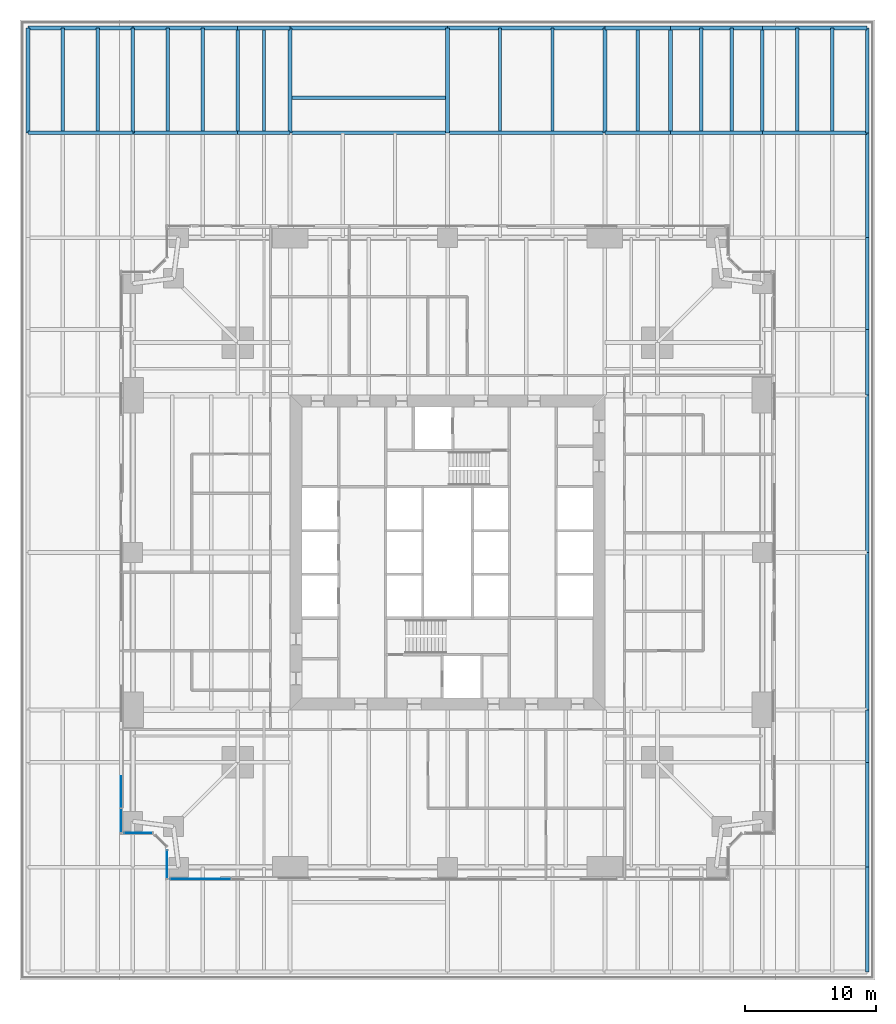
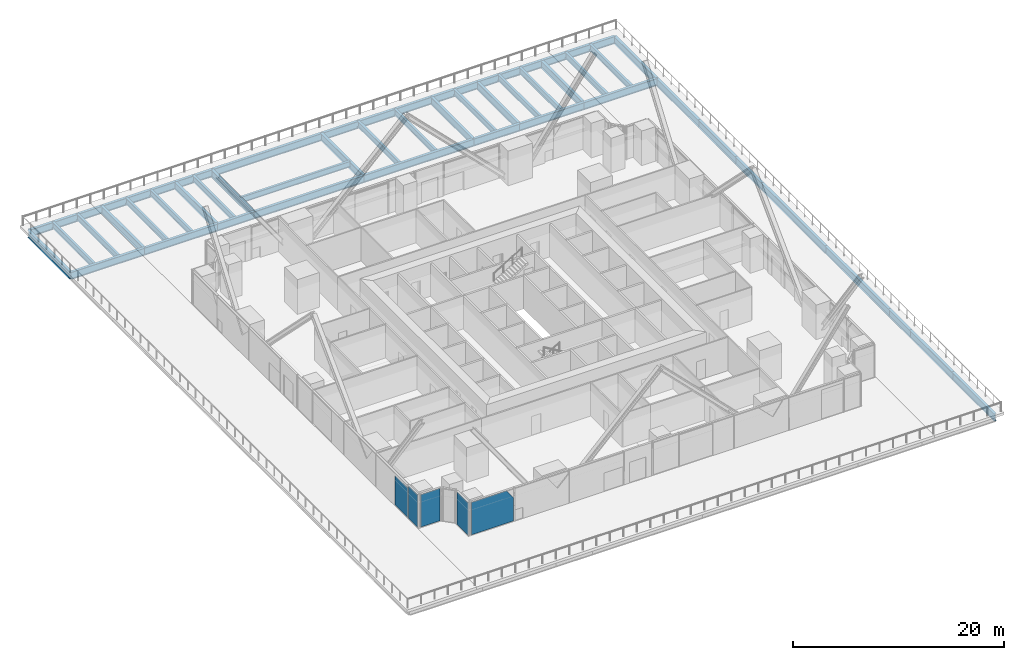
# One storey, part 10 of 21: 46 beams, 5 plates, 4 elements without a shape of their own.
"""IFC4 building model written with IfcOpenShell, lengths in metres."""

import ifcopenshell
import ifcopenshell.guid

model = None  # the IFC model being written
_history = None  # IfcOwnerHistory: only IFC2X3 demands one
_inside = {}  # id of a spatial element -> (the spatial element, [elements in it])
_under = {}  # id of a project, library or spatial element -> (it, [spatial elements below it])
_declared = {}  # id of a project -> (the project, [libraries it declares])
_typed = {}  # id of a type object -> (the type object, [elements of that type])
_made_of = {}  # id of a material, layer set ... -> (it, [elements and type objects made of it])


def new_model(schema):
    """Start an empty IFC model of exactly this schema.

    Asked for "IFC4X3", IfcOpenShell would pick the latest addendum, in which some entities
    have other attributes; the version numbers below select the first issue.
    IFC2X3 requires an IfcOwnerHistory on every rooted entity: one is made here for all.
    """
    global model, _history
    if schema == "IFC4X3":
        model = ifcopenshell.file(schema_version=(4, 3, 0, 0))
    else:
        model = ifcopenshell.file(schema=schema)
    _inside.clear()
    _under.clear()
    _declared.clear()
    _typed.clear()
    _made_of.clear()
    _history = None
    if model.schema == "IFC2X3":
        org = make("IfcOrganization", Name="unknown")
        user = make(
            "IfcPersonAndOrganization",
            ThePerson=make("IfcPerson", FamilyName="unknown"),
            TheOrganization=org,
        )
        app = make(
            "IfcApplication",
            ApplicationDeveloper=org,
            Version="unknown",
            ApplicationFullName="unknown",
            ApplicationIdentifier="unknown",
        )
        _history = make(
            "IfcOwnerHistory",
            OwningUser=user,
            OwningApplication=app,
            ChangeAction="ADDED",
            CreationDate=0,
        )
    return model


def make(cls, **values):
    """One entity of the class cls with the attributes given. An attribute that is None is left unset."""
    return model.create_entity(
        cls, **{name: value for name, value in values.items() if value is not None}
    )


def rooted(cls, **values):
    """An entity with a GlobalId (a new one), such as an element, a storey or a relation."""
    return make(cls, GlobalId=ifcopenshell.guid.new(), OwnerHistory=_history, **values)


def si_unit(unit_type, name, prefix=None):
    """IfcSIUnit, for example si_unit("LENGTHUNIT", "METRE", prefix="MILLI")."""
    return make("IfcSIUnit", UnitType=unit_type, Prefix=prefix, Name=name)


def assignment(units):
    """IfcUnitAssignment: the units of a project."""
    return None if units is None else make("IfcUnitAssignment", Units=units)


def point(xyz):
    """IfcCartesianPoint."""
    return None if xyz is None else make("IfcCartesianPoint", Coordinates=xyz)


def direction(xyz):
    """IfcDirection."""
    return None if xyz is None else make("IfcDirection", DirectionRatios=xyz)


def frame(location, z_axis=None, x_axis=None):
    """IfcAxis2Placement3D, a coordinate frame: its origin and axes. An axis left out is left unset."""
    return make(
        "IfcAxis2Placement3D",
        Location=point(location),
        Axis=direction(z_axis),
        RefDirection=direction(x_axis),
    )


def frame_2d(location, x_axis=None):
    """IfcAxis2Placement2D, a coordinate frame in the plane: its origin and x axis."""
    return make(
        "IfcAxis2Placement2D", Location=point(location), RefDirection=direction(x_axis)
    )


def origin():
    """The frame at (0, 0, 0) with its axes left unset."""
    return frame((0.0, 0.0, 0.0))


def origin_2d():
    """The frame at (0, 0) in the plane with its x axis left unset."""
    return frame_2d((0.0, 0.0))


def place(relative_to, where):
    """IfcLocalPlacement: puts the frame where relative to a parent placement (None: the world)."""
    return make(
        "IfcLocalPlacement", PlacementRelTo=relative_to, RelativePlacement=where
    )


def context(
    kind, dimensions, precision=None, world=None, true_north=None, identifier=None
):
    """IfcGeometricRepresentationContext, for example the 3D "Model" context."""
    return make(
        "IfcGeometricRepresentationContext",
        ContextIdentifier=identifier,
        ContextType=kind,
        CoordinateSpaceDimension=dimensions,
        Precision=precision,
        WorldCoordinateSystem=world,
        TrueNorth=true_north,
    )


def subcontext(parent, identifier, kind, view, scale=None):
    """IfcGeometricRepresentationSubContext, for example "Body" below "Model"."""
    return make(
        "IfcGeometricRepresentationSubContext",
        ContextIdentifier=identifier,
        ContextType=kind,
        ParentContext=parent,
        TargetScale=scale,
        TargetView=view,
    )


def project(units=None, contexts=None):
    """IfcProject with its units and contexts."""
    return rooted(
        "IfcProject",
        Name="project",
        RepresentationContexts=contexts,
        UnitsInContext=assignment(units),
    )


def spatial(cls, under=None, at=None, **own):
    """A site, building, storey or space (cls), placed at a placement, below another one or the project."""
    s = rooted(cls, ObjectPlacement=at, **own)
    if under is not None:
        _under.setdefault(under.id(), (under, []))[1].append(s)
    return s


def polyline(points):
    """IfcPolyline through the points."""
    return make("IfcPolyline", Points=[point(p) for p in points])


def profile(cls, at=None, kind="AREA", **sizes):
    """A parametric profile (cls). Its sizes go by their IFC names, for example OverallWidth=200.0."""
    return make(cls, ProfileType=kind, Position=at, **sizes)


def rectangle(**sizes):
    """IfcRectangleProfileDef."""
    return profile("IfcRectangleProfileDef", **sizes)


def i_section(**sizes):
    """IfcIShapeProfileDef."""
    return profile("IfcIShapeProfileDef", **sizes)


def outline(outer, holes=None, kind="AREA"):
    """IfcArbitraryClosedProfileDef: a profile drawn as a closed curve; with holes, ...WithVoids."""
    if holes is None:
        return make("IfcArbitraryClosedProfileDef", ProfileType=kind, OuterCurve=outer)
    return make(
        "IfcArbitraryProfileDefWithVoids",
        ProfileType=kind,
        OuterCurve=outer,
        InnerCurves=holes,
    )


def extrude(swept, where, along, depth):
    """IfcExtrudedAreaSolid: the profile swept, set in the frame where, extruded along a direction by depth."""
    return make(
        "IfcExtrudedAreaSolid",
        SweptArea=swept,
        Position=where,
        ExtrudedDirection=direction(along),
        Depth=depth,
    )


def shape(context_of_items, identifier, shape_type, items):
    """IfcShapeRepresentation: the items that make up one representation, for example the "Body"."""
    return make(
        "IfcShapeRepresentation",
        ContextOfItems=context_of_items,
        RepresentationIdentifier=identifier,
        RepresentationType=shape_type,
        Items=items,
    )


def material(Name=None, Category=None):
    """IfcMaterial."""
    return make("IfcMaterial", Name=Name, Category=Category)


def layer(
    of_material, thickness, ventilated=None, Name=None, Category=None, Priority=None
):
    """IfcMaterialLayer: one layer of a wall or slab, of a material (None: an air gap)."""
    return make(
        "IfcMaterialLayer",
        Material=of_material,
        LayerThickness=thickness,
        IsVentilated=ventilated,
        Name=Name,
        Category=Category,
        Priority=Priority,
    )


def layer_set(layers, Name=None):
    """IfcMaterialLayerSet."""
    return make("IfcMaterialLayerSet", MaterialLayers=layers, LayerSetName=Name)


def material_profile(
    of_material, cross_section, Name=None, Category=None, Priority=None
):
    """IfcMaterialProfile: a cross section and its material."""
    return make(
        "IfcMaterialProfile",
        Name=Name,
        Material=of_material,
        Profile=cross_section,
        Priority=Priority,
        Category=Category,
    )


def profile_set(profiles, Name=None, composite=None):
    """IfcMaterialProfileSet."""
    return make(
        "IfcMaterialProfileSet",
        Name=Name,
        MaterialProfiles=profiles,
        CompositeProfile=composite,
    )


def made_of(thing, what):
    """Note that an element or type object is made of a material, layer set ...; save() writes the relation."""
    if what is not None:
        _made_of.setdefault(what.id(), (what, []))[1].append(thing)
    return thing


def type_object(cls, material=None, **own):
    """A type object (cls), such as IfcWallType, which elements share."""
    return made_of(rooted(cls, **own), material)


def element(
    cls,
    number,
    at=None,
    inside=None,
    cuts=None,
    type_object=None,
    material=None,
    context=None,
    identifier="Body",
    shape_type=None,
    held_by="IfcProductDefinitionShape",
    body=None,
    shapes=None,
    **own,
):
    """One element of the class cls, such as IfcWall. Its Tag is "e" and its number.

    at: its placement. inside: the storey or other place that contains it. cuts: it is an
    opening in that element (IfcRelVoidsElement). A single representation is given by context,
    identifier, shape_type and body (its items); several are given by shapes. held_by: the class
    of the entity that holds the representations. save() writes the other relations.
    """
    e = rooted(cls, Tag="e%d" % number, ObjectPlacement=at, **own)
    if body is not None:
        shapes = [shape(context, identifier, shape_type, body)]
    if shapes is not None:
        e.Representation = make(held_by, Representations=shapes)
    if inside is not None:
        _inside.setdefault(inside.id(), (inside, []))[1].append(e)
    if cuts is not None:
        rooted(
            "IfcRelVoidsElement", RelatingBuildingElement=cuts, RelatedOpeningElement=e
        )
    if type_object is not None:
        _typed.setdefault(type_object.id(), (type_object, []))[1].append(e)
    return made_of(e, material)


def aggregate(whole, parts):
    """IfcRelAggregates: a whole, such as a stair, and the parts it consists of."""
    return rooted("IfcRelAggregates", RelatingObject=whole, RelatedObjects=parts)


def save(model, path):
    """Write the relations noted so far, then the file.

    IfcRelAggregates (storeys below a building ...), IfcRelContainedInSpatialStructure (elements
    in a storey), IfcRelDefinesByType, IfcRelAssociatesMaterial and IfcRelDeclares: one each for
    every whole, place, type object, material and project.
    """
    for whole, parts in _under.values():
        aggregate(whole, parts)
    for where, things in _inside.values():
        rooted(
            "IfcRelContainedInSpatialStructure",
            RelatedElements=things,
            RelatingStructure=where,
        )
    for kind, things in _typed.values():
        rooted("IfcRelDefinesByType", RelatedObjects=things, RelatingType=kind)
    for what, things in _made_of.values():
        rooted("IfcRelAssociatesMaterial", RelatedObjects=things, RelatingMaterial=what)
    for by, libraries in _declared.values():
        rooted("IfcRelDeclares", RelatingContext=by, RelatedDefinitions=libraries)
    model.write(path)


model = new_model("IFC4")

# Units and contexts
model_context = context("Model", 3, precision=1e-05, world=origin(), true_north=direction((0.0, 1.0)))
body_context = subcontext(model_context, "Body", "Model", "MODEL_VIEW")
ifc_project = project(units=[si_unit("LENGTHUNIT", "METRE"), si_unit("AREAUNIT", "SQUARE_METRE"), si_unit("VOLUMEUNIT", "CUBIC_METRE"), si_unit("PLANEANGLEUNIT", "RADIAN"), si_unit("MASSUNIT", "GRAM", prefix="KILO")], contexts=[model_context])

# Site, building, storey
site_placement = place(None, origin())
site = spatial("IfcSite", under=ifc_project, at=site_placement, CompositionType="ELEMENT")
building_placement = place(site_placement, origin())
building = spatial("IfcBuilding", under=site, at=building_placement, Name="Fenwick Lantern Interchange", CompositionType="ELEMENT")
storey_placement = place(building_placement, frame((0.0, 0.0, 31.0)))
storey = spatial("IfcBuildingStorey", under=building, at=storey_placement, Name="L06", CompositionType="ELEMENT", Elevation=31.0)

# Beams
ifc_material_1 = material(Name="Steel ASTM A992 Grade 50", Category="steel")
ifc_material_profile_1 = material_profile(ifc_material_1, i_section(OverallWidth=0.2919921875, OverallDepth=0.845703125, WebThickness=0.015380859375, FlangeThickness=0.0244140625, at=origin_2d()), Name="W33X141")
ifc_profile_set_1 = profile_set([ifc_material_profile_1], Name="Steel ASTM A992 Grade 50")
beam_type_1 = type_object("IfcBeamType", Name="MOMENT-CONNECTED PODIUM GIRDER W33X141", PredefinedType="BEAM", material=ifc_profile_set_1)
for number, where, z_axis, x_axis, name in (
    (1, (-7.0, 57.0, -0.722900390625), (1.0, 0.0, 0.0), (0.0, 1.0, 0.0), "L06/PF/G027"),
    (2, (1.0, 57.0, -0.722900390625), (1.0, 0.0, 0.0), (0.0, 1.0, 0.0), "L06/PF/G028"),
):
    element("IfcBeam", number, at=place(storey_placement, frame(where, z_axis=z_axis, x_axis=x_axis)), inside=storey, type_object=beam_type_1, Name=name, PredefinedType="BEAM", context=body_context, shape_type="SweptSolid", body=[
        extrude(i_section(OverallWidth=0.2919921875, OverallDepth=0.845703125, WebThickness=0.015380859375, FlangeThickness=0.0244140625, at=origin_2d()), origin(), (0.0, 0.0, 1.0), 8.0),
    ])
beam_1_placement = place(storey_placement, frame((9.0, 57.0, -0.722900390625), z_axis=(1.0, 0.0, 0.0), x_axis=(0.0, 1.0, 0.0)))
element("IfcBeam", 3, at=beam_1_placement, inside=storey, type_object=beam_type_1, Name="L06/PF/G029", PredefinedType="BEAM", context=body_context, shape_type="SweptSolid", body=[
    extrude(i_section(OverallWidth=0.2919921875, OverallDepth=0.845703125, WebThickness=0.015380859375, FlangeThickness=0.0244140625, at=origin_2d()), origin(), (0.0, 0.0, 1.0), 4.0),
])
for number, where, z_axis, x_axis, name in (
    (4, (13.0, 57.0, -0.722900390625), (1.0, 0.0, 0.0), (0.0, 1.0, 0.0), "L06/PF/G030"),
    (5, (25.0, 57.0, -0.722900390625), (1.0, 0.0, 0.0), (0.0, 1.0, 0.0), "L06/PF/G031"),
):
    element("IfcBeam", number, at=place(storey_placement, frame(where, z_axis=z_axis, x_axis=x_axis)), inside=storey, type_object=beam_type_1, Name=name, PredefinedType="BEAM", context=body_context, shape_type="SweptSolid", body=[
        extrude(i_section(OverallWidth=0.2919921875, OverallDepth=0.845703125, WebThickness=0.015380859375, FlangeThickness=0.0244140625, at=origin_2d()), origin(), (0.0, 0.0, 1.0), 12.0),
    ])
beam_2_placement = place(storey_placement, frame((37.0, 57.0, -0.722900390625), z_axis=(1.0, 0.0, 0.0), x_axis=(0.0, 1.0, 0.0)))
element("IfcBeam", 6, at=beam_2_placement, inside=storey, type_object=beam_type_1, Name="L06/PF/G032", PredefinedType="BEAM", context=body_context, shape_type="SweptSolid", body=[
    extrude(i_section(OverallWidth=0.2919921875, OverallDepth=0.845703125, WebThickness=0.015380859375, FlangeThickness=0.0244140625, at=origin_2d()), origin(), (0.0, 0.0, 1.0), 5.0),
])
beam_3_placement = place(storey_placement, frame((42.0, 57.0, -0.722900390625), z_axis=(1.0, 0.0, 0.0), x_axis=(0.0, 1.0, 0.0)))
element("IfcBeam", 7, at=beam_3_placement, inside=storey, type_object=beam_type_1, Name="L06/PF/G033", PredefinedType="BEAM", context=body_context, shape_type="SweptSolid", body=[
    extrude(i_section(OverallWidth=0.2919921875, OverallDepth=0.845703125, WebThickness=0.015380859375, FlangeThickness=0.0244140625, at=origin_2d()), origin(), (0.0, 0.0, 1.0), 7.0),
])
for number, where, z_axis, x_axis, name in (
    (8, (49.0, 57.0, -0.722900390625), (1.0, 0.0, 0.0), (0.0, 1.0, 0.0), "L06/PF/G034"),
    (9, (-7.0, 65.0, -0.722900390625), (1.0, 0.0, 0.0), (0.0, 1.0, 0.0), "L06/PF/G035"),
    (10, (1.0, 65.0, -0.722900390625), (1.0, 0.0, 0.0), (0.0, 1.0, 0.0), "L06/PF/G036"),
):
    element("IfcBeam", number, at=place(storey_placement, frame(where, z_axis=z_axis, x_axis=x_axis)), inside=storey, type_object=beam_type_1, Name=name, PredefinedType="BEAM", context=body_context, shape_type="SweptSolid", body=[
        extrude(i_section(OverallWidth=0.2919921875, OverallDepth=0.845703125, WebThickness=0.015380859375, FlangeThickness=0.0244140625, at=origin_2d()), origin(), (0.0, 0.0, 1.0), 8.0),
    ])
beam_4_placement = place(storey_placement, frame((9.0, 65.0, -0.722900390625), z_axis=(1.0, 0.0, 0.0), x_axis=(0.0, 1.0, 0.0)))
element("IfcBeam", 11, at=beam_4_placement, inside=storey, type_object=beam_type_1, Name="L06/PF/G037", PredefinedType="BEAM", context=body_context, shape_type="SweptSolid", body=[
    extrude(i_section(OverallWidth=0.2919921875, OverallDepth=0.845703125, WebThickness=0.015380859375, FlangeThickness=0.0244140625, at=origin_2d()), origin(), (0.0, 0.0, 1.0), 4.0),
])
for number, where, z_axis, x_axis, name in (
    (12, (13.0, 65.0, -0.722900390625), (1.0, 0.0, 0.0), (0.0, 1.0, 0.0), "L06/PF/G038"),
    (13, (25.0, 65.0, -0.722900390625), (1.0, 0.0, 0.0), (0.0, 1.0, 0.0), "L06/PF/G039"),
):
    element("IfcBeam", number, at=place(storey_placement, frame(where, z_axis=z_axis, x_axis=x_axis)), inside=storey, type_object=beam_type_1, Name=name, PredefinedType="BEAM", context=body_context, shape_type="SweptSolid", body=[
        extrude(i_section(OverallWidth=0.2919921875, OverallDepth=0.845703125, WebThickness=0.015380859375, FlangeThickness=0.0244140625, at=origin_2d()), origin(), (0.0, 0.0, 1.0), 12.0),
    ])
beam_5_placement = place(storey_placement, frame((37.0, 65.0, -0.722900390625), z_axis=(1.0, 0.0, 0.0), x_axis=(0.0, 1.0, 0.0)))
element("IfcBeam", 14, at=beam_5_placement, inside=storey, type_object=beam_type_1, Name="L06/PF/G040", PredefinedType="BEAM", context=body_context, shape_type="SweptSolid", body=[
    extrude(i_section(OverallWidth=0.2919921875, OverallDepth=0.845703125, WebThickness=0.015380859375, FlangeThickness=0.0244140625, at=origin_2d()), origin(), (0.0, 0.0, 1.0), 5.0),
])
beam_6_placement = place(storey_placement, frame((42.0, 65.0, -0.722900390625), z_axis=(1.0, 0.0, 0.0), x_axis=(0.0, 1.0, 0.0)))
element("IfcBeam", 15, at=beam_6_placement, inside=storey, type_object=beam_type_1, Name="L06/PF/G041", PredefinedType="BEAM", context=body_context, shape_type="SweptSolid", body=[
    extrude(i_section(OverallWidth=0.2919921875, OverallDepth=0.845703125, WebThickness=0.015380859375, FlangeThickness=0.0244140625, at=origin_2d()), origin(), (0.0, 0.0, 1.0), 7.0),
])
for number, where, z_axis, x_axis, name in (
    (16, (49.0, 65.0, -0.722900390625), (1.0, 0.0, 0.0), (0.0, 1.0, 0.0), "L06/PF/G042"),
    (17, (-7.0, 57.0, -0.722900390625), (0.0, 1.0, 0.0), (-1.0, 0.0, 0.0), "L06/PF/G051"),
    (18, (1.0, 57.0, -0.722900390625), (0.0, 1.0, 0.0), (-1.0, 0.0, 0.0), "L06/PF/G056"),
    (19, (9.0, 57.0, -0.722900390625), (0.0, 1.0, 0.0), (-1.0, 0.0, 0.0), "L06/PF/G059"),
    (20, (13.0, 57.0, -0.722900390625), (0.0, 1.0, 0.0), (-1.0, 0.0, 0.0), "L06/PF/G062"),
    (21, (25.0, 57.0, -0.722900390625), (0.0, 1.0, 0.0), (-1.0, 0.0, 0.0), "L06/PF/G065"),
    (22, (37.0, 57.0, -0.722900390625), (0.0, 1.0, 0.0), (-1.0, 0.0, 0.0), "L06/PF/G068"),
    (23, (42.0, 57.0, -0.722900390625), (0.0, 1.0, 0.0), (-1.0, 0.0, 0.0), "L06/PF/G071"),
    (24, (49.0, 57.0, -0.722900390625), (0.0, 1.0, 0.0), (-1.0, 0.0, 0.0), "L06/PF/G076"),
    (25, (57.0, -7.0, -0.722900390625), (0.0, 1.0, 0.0), (-1.0, 0.0, 0.0), "L06/PF/G077"),
    (26, (57.0, 1.0, -0.722900390625), (0.0, 1.0, 0.0), (-1.0, 0.0, 0.0), "L06/PF/G078"),
):
    element("IfcBeam", number, at=place(storey_placement, frame(where, z_axis=z_axis, x_axis=x_axis)), inside=storey, type_object=beam_type_1, Name=name, PredefinedType="BEAM", context=body_context, shape_type="SweptSolid", body=[
        extrude(i_section(OverallWidth=0.2919921875, OverallDepth=0.845703125, WebThickness=0.015380859375, FlangeThickness=0.0244140625, at=origin_2d()), origin(), (0.0, 0.0, 1.0), 8.0),
    ])
beam_7_placement = place(storey_placement, frame((57.0, 9.0, -0.722900390625), z_axis=(0.0, 1.0, 0.0), x_axis=(-1.0, 0.0, 0.0)))
element("IfcBeam", 27, at=beam_7_placement, inside=storey, type_object=beam_type_1, Name="L06/PF/G079", PredefinedType="BEAM", context=body_context, shape_type="SweptSolid", body=[
    extrude(i_section(OverallWidth=0.2919921875, OverallDepth=0.845703125, WebThickness=0.015380859375, FlangeThickness=0.0244140625, at=origin_2d()), origin(), (0.0, 0.0, 1.0), 4.0),
])
for number, where, z_axis, x_axis, name in (
    (28, (57.0, 13.0, -0.722900390625), (0.0, 1.0, 0.0), (-1.0, 0.0, 0.0), "L06/PF/G080"),
    (29, (57.0, 25.0, -0.722900390625), (0.0, 1.0, 0.0), (-1.0, 0.0, 0.0), "L06/PF/G081"),
):
    element("IfcBeam", number, at=place(storey_placement, frame(where, z_axis=z_axis, x_axis=x_axis)), inside=storey, type_object=beam_type_1, Name=name, PredefinedType="BEAM", context=body_context, shape_type="SweptSolid", body=[
        extrude(i_section(OverallWidth=0.2919921875, OverallDepth=0.845703125, WebThickness=0.015380859375, FlangeThickness=0.0244140625, at=origin_2d()), origin(), (0.0, 0.0, 1.0), 12.0),
    ])
beam_8_placement = place(storey_placement, frame((57.0, 37.0, -0.722900390625), z_axis=(0.0, 1.0, 0.0), x_axis=(-1.0, 0.0, 0.0)))
element("IfcBeam", 30, at=beam_8_placement, inside=storey, type_object=beam_type_1, Name="L06/PF/G082", PredefinedType="BEAM", context=body_context, shape_type="SweptSolid", body=[
    extrude(i_section(OverallWidth=0.2919921875, OverallDepth=0.845703125, WebThickness=0.015380859375, FlangeThickness=0.0244140625, at=origin_2d()), origin(), (0.0, 0.0, 1.0), 5.0),
])
beam_9_placement = place(storey_placement, frame((57.0, 42.0, -0.722900390625), z_axis=(0.0, 1.0, 0.0), x_axis=(-1.0, 0.0, 0.0)))
element("IfcBeam", 31, at=beam_9_placement, inside=storey, type_object=beam_type_1, Name="L06/PF/G083", PredefinedType="BEAM", context=body_context, shape_type="SweptSolid", body=[
    extrude(i_section(OverallWidth=0.2919921875, OverallDepth=0.845703125, WebThickness=0.015380859375, FlangeThickness=0.0244140625, at=origin_2d()), origin(), (0.0, 0.0, 1.0), 7.0),
])
for number, where, z_axis, x_axis, name in (
    (32, (57.0, 49.0, -0.722900390625), (0.0, 1.0, 0.0), (-1.0, 0.0, 0.0), "L06/PF/G084"),
    (33, (57.0, 57.0, -0.722900390625), (0.0, 1.0, 0.0), (-1.0, 0.0, 0.0), "L06/PF/G085"),
):
    element("IfcBeam", number, at=place(storey_placement, frame(where, z_axis=z_axis, x_axis=x_axis)), inside=storey, type_object=beam_type_1, Name=name, PredefinedType="BEAM", context=body_context, shape_type="SweptSolid", body=[
        extrude(i_section(OverallWidth=0.2919921875, OverallDepth=0.845703125, WebThickness=0.015380859375, FlangeThickness=0.0244140625, at=origin_2d()), origin(), (0.0, 0.0, 1.0), 8.0),
    ])
ifc_material_profile_2 = material_profile(ifc_material_1, i_section(OverallWidth=0.25390625, OverallDepth=0.683349609375, WebThickness=0.012451171875, FlangeThickness=0.01904296875, at=origin_2d()), Name="W27X94")
ifc_profile_set_2 = profile_set([ifc_material_profile_2], Name="Steel ASTM A992 Grade 50")
beam_type_2 = type_object("IfcBeamType", Name="PODIUM BEAM W27X94", PredefinedType="JOIST", material=ifc_profile_set_2)
for number, where, z_axis, x_axis, name in (
    (34, (-4.333251953125, 57.14599609375, -0.6416015625), (0.0, 1.0, 0.0), (-1.0, 0.0, 0.0), "L06/PF/J100"),
    (35, (-1.666748046875, 57.14599609375, -0.6416015625), (0.0, 1.0, 0.0), (-1.0, 0.0, 0.0), "L06/PF/J101"),
    (36, (3.666748046875, 57.14599609375, -0.6416015625), (0.0, 1.0, 0.0), (-1.0, 0.0, 0.0), "L06/PF/J106"),
    (37, (6.333251953125, 57.14599609375, -0.6416015625), (0.0, 1.0, 0.0), (-1.0, 0.0, 0.0), "L06/PF/J107"),
    (38, (11.0, 57.14599609375, -0.6416015625), (0.0, 1.0, 0.0), (-1.0, 0.0, 0.0), "L06/PF/J110"),
):
    element("IfcBeam", number, at=place(storey_placement, frame(where, z_axis=z_axis, x_axis=x_axis)), inside=storey, type_object=beam_type_2, Name=name, PredefinedType="JOIST", context=body_context, shape_type="SweptSolid", body=[
        extrude(i_section(OverallWidth=0.25390625, OverallDepth=0.683349609375, WebThickness=0.012451171875, FlangeThickness=0.01904296875, at=origin_2d()), origin(), (0.0, 0.0, 1.0), 7.85400390625),
    ])
beam_10_placement = place(storey_placement, frame((13.0, 59.666748046875, -0.6416015625), z_axis=(1.0, 0.0, 0.0), x_axis=(0.0, 1.0, 0.0)))
element("IfcBeam", 39, at=beam_10_placement, inside=storey, type_object=beam_type_2, Name="L06/PF/J114", PredefinedType="JOIST", context=body_context, shape_type="SweptSolid", body=[
    extrude(i_section(OverallWidth=0.25390625, OverallDepth=0.683349609375, WebThickness=0.012451171875, FlangeThickness=0.01904296875, at=origin_2d()), origin(), (0.0, 0.0, 1.0), 12.0),
])
for number, where, z_axis, x_axis, name in (
    (40, (29.0, 57.14599609375, -0.6416015625), (0.0, 1.0, 0.0), (-1.0, 0.0, 0.0), "L06/PF/J119"),
    (41, (33.0, 57.14599609375, -0.6416015625), (0.0, 1.0, 0.0), (-1.0, 0.0, 0.0), "L06/PF/J120"),
    (42, (39.5, 57.14599609375, -0.6416015625), (0.0, 1.0, 0.0), (-1.0, 0.0, 0.0), "L06/PF/J123"),
    (43, (44.333251953125, 57.14599609375, -0.6416015625), (0.0, 1.0, 0.0), (-1.0, 0.0, 0.0), "L06/PF/J128"),
    (44, (46.666748046875, 57.14599609375, -0.6416015625), (0.0, 1.0, 0.0), (-1.0, 0.0, 0.0), "L06/PF/J129"),
    (45, (51.666748046875, 57.14599609375, -0.6416015625), (0.0, 1.0, 0.0), (-1.0, 0.0, 0.0), "L06/PF/J144"),
    (46, (54.333251953125, 57.14599609375, -0.6416015625), (0.0, 1.0, 0.0), (-1.0, 0.0, 0.0), "L06/PF/J145"),
):
    element("IfcBeam", number, at=place(storey_placement, frame(where, z_axis=z_axis, x_axis=x_axis)), inside=storey, type_object=beam_type_2, Name=name, PredefinedType="JOIST", context=body_context, shape_type="SweptSolid", body=[
        extrude(i_section(OverallWidth=0.25390625, OverallDepth=0.683349609375, WebThickness=0.012451171875, FlangeThickness=0.01904296875, at=origin_2d()), origin(), (0.0, 0.0, 1.0), 7.85400390625),
    ])

# Curtain wall, plate
ifc_material_2 = material(Name="Aluminium curtain wall frame", Category="aluminium")
curtain_wall_type = type_object("IfcCurtainWallType", Name="OFFICE CURTAIN WALL", PredefinedType="USERDEFINED", material=ifc_material_2)
curtain_wall_1_placement = place(storey_placement, origin())
curtain_wall_1 = element("IfcCurtainWall", 47, at=curtain_wall_1_placement, inside=storey, type_object=curtain_wall_type, Name="Office curtain wall 01A", ObjectType="OFFICE CURTAIN WALL", PredefinedType="USERDEFINED")
ifc_material_3 = material(Name="Vision glass, clear low-iron double glazed", Category="glass")
ifc_layer = layer(ifc_material_3, 0.031982421875)
ifc_layer_set = layer_set([ifc_layer], Name="OFFICE CURTAIN WALL PANEL 32")
plate_type = type_object("IfcPlateType", Name="OFFICE CURTAIN WALL PANEL 32", PredefinedType="CURTAIN_PANEL", material=ifc_layer_set)
plate_1_placement = place(storey_placement, frame((3.60009765625, 0.10009765625, 0.0), z_axis=(0.0, 0.0, 1.0), x_axis=(1.0, 0.0, 0.0)))
plate_1 = element("IfcPlate", 48, at=plate_1_placement, type_object=plate_type, Name="L06/CW/01A/P00a", PredefinedType="CURTAIN_PANEL", context=body_context, shape_type="SweptSolid", body=[
    extrude(outline(polyline([(0.264892578125, 0.0), (4.867431640625, 0.0), (4.867431640625, 2.66650390625), (4.101318359375, 3.75), (0.264892578125, 3.75), (0.264892578125, 0.0)])), frame((0.0, 0.01611328125, 0.0), z_axis=(0.0, -1.0, 0.0), x_axis=(1.0, 0.0, 0.0)), (0.0, 0.0, 1.0), 0.031982421875),
])
aggregate(curtain_wall_1, [plate_1])

# Curtain wall, plates
curtain_wall_2_placement = place(storey_placement, origin())
curtain_wall_2 = element("IfcCurtainWall", 49, at=curtain_wall_2_placement, inside=storey, type_object=curtain_wall_type, Name="Office curtain wall 13B", ObjectType="OFFICE CURTAIN WALL", PredefinedType="USERDEFINED")
plate_2_placement = place(storey_placement, frame((0.10009765625, 26.5, 0.0), z_axis=(0.0, 0.0, 1.0), x_axis=(0.0, -1.0, 0.0)))
plate_2 = element("IfcPlate", 50, at=plate_2_placement, type_object=plate_type, Name="L06/CW/13B/P03a", PredefinedType="CURTAIN_PANEL", context=body_context, shape_type="SweptSolid", body=[
    extrude(outline(polyline([(18.556640625, 0.0), (20.967529296875, 0.0), (20.967529296875, 3.40771484375), (18.556640625, 3.40771484375), (18.556640625, 0.0)])), frame((0.0, 0.01611328125, 0.0), z_axis=(0.0, -1.0, 0.0), x_axis=(1.0, 0.0, 0.0)), (0.0, 0.0, 1.0), 0.031982421875),
])
plate_3_placement = place(storey_placement, frame((0.10009765625, 4.566162109375, 0.0), z_axis=(0.0, 0.0, 1.0), x_axis=(0.0, -1.0, 0.0)))
plate_3 = element("IfcPlate", 51, at=plate_3_placement, type_object=plate_type, Name="L06/CW/13B/P04", PredefinedType="CURTAIN_PANEL", context=body_context, shape_type="SweptSolid", body=[
    extrude(rectangle(XDim=1.802490234375, YDim=0.031982421875, at=origin_2d()), origin(), (0.0, 0.0, 1.0), 3.75),
])
aggregate(curtain_wall_2, [plate_2, plate_3])

# Curtain wall, plate
curtain_wall_3_placement = place(storey_placement, origin())
curtain_wall_3 = element("IfcCurtainWall", 52, at=curtain_wall_3_placement, inside=storey, type_object=curtain_wall_type, Name="Office curtain wall 14", ObjectType="OFFICE CURTAIN WALL", PredefinedType="USERDEFINED")
plate_4_placement = place(storey_placement, frame((1.420654296875, 3.60009765625, 0.0), z_axis=(0.0, 0.0, 1.0), x_axis=(1.0, 0.0, 0.0)))
plate_4 = element("IfcPlate", 53, at=plate_4_placement, type_object=plate_type, Name="L06/CW/14/P00", PredefinedType="CURTAIN_PANEL", context=body_context, shape_type="SweptSolid", body=[
    extrude(rectangle(XDim=2.111328125, YDim=0.031982421875, at=origin_2d()), origin(), (0.0, 0.0, 1.0), 3.75),
])
aggregate(curtain_wall_3, [plate_4])

curtain_wall_4_placement = place(storey_placement, origin())
curtain_wall_4 = element("IfcCurtainWall", 54, at=curtain_wall_4_placement, inside=storey, type_object=curtain_wall_type, Name="Office curtain wall 16", ObjectType="OFFICE CURTAIN WALL", PredefinedType="USERDEFINED")
plate_5_placement = place(storey_placement, frame((3.60009765625, 1.220703125, 0.0), z_axis=(0.0, 0.0, 1.0), x_axis=(0.0, -1.0, 0.0)))
plate_5 = element("IfcPlate", 55, at=plate_5_placement, type_object=plate_type, Name="L06/CW/16/P00", PredefinedType="CURTAIN_PANEL", context=body_context, shape_type="SweptSolid", body=[
    extrude(rectangle(XDim=2.111328125, YDim=0.031982421875, at=origin_2d()), origin(), (0.0, 0.0, 1.0), 3.75),
])
aggregate(curtain_wall_4, [plate_5])

save(model, "model.ifc")
